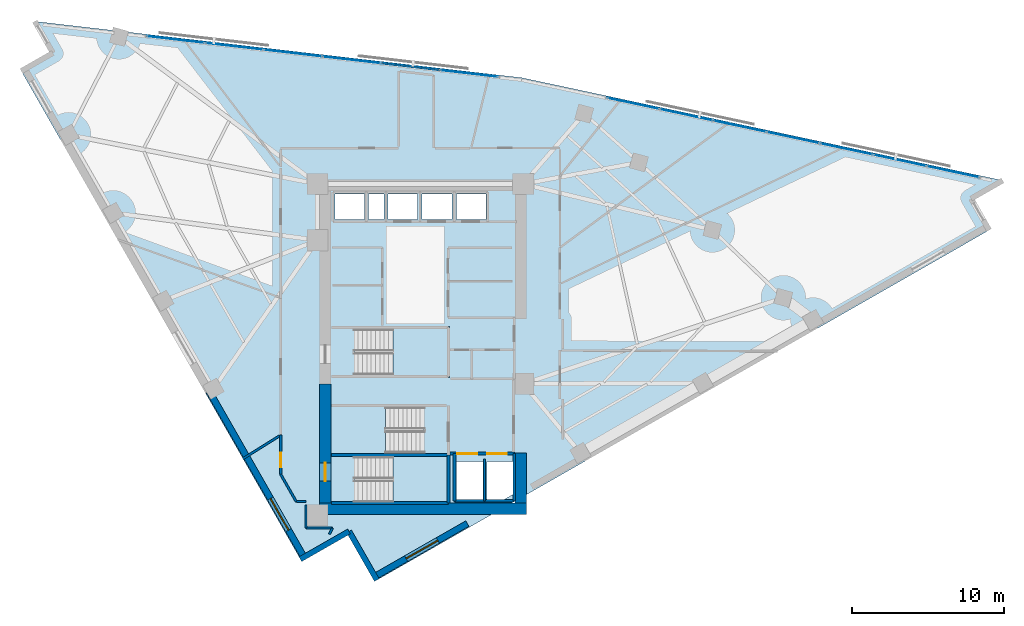
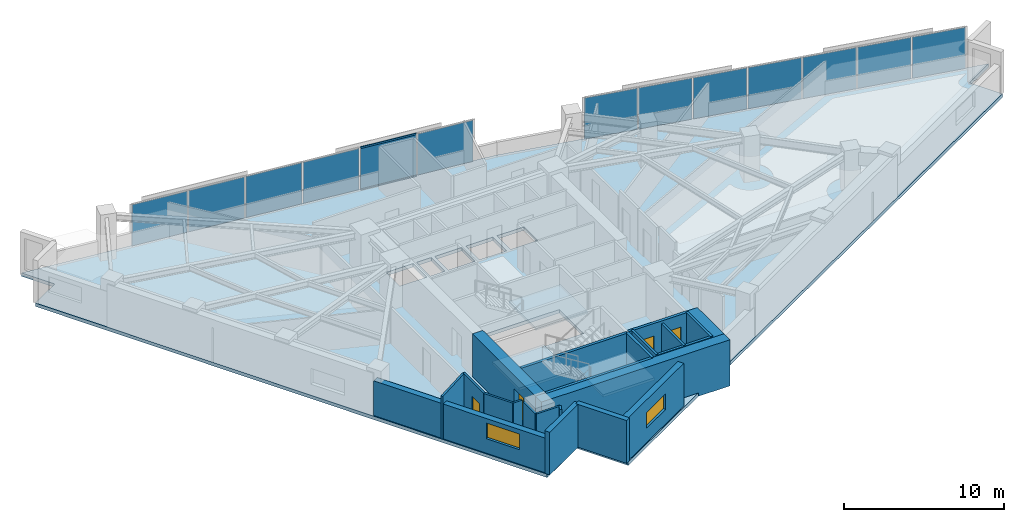
# One storey, part 8 of 14: 22 walls, 13 plates, 4 doors, 4 slabs, 2 members, 2 windows, 6 openings, 5 elements without a shape of their own.
"""IFC4 building model written with IfcOpenShell, lengths in metres."""

from ifc_helpers import new_model, si_unit, direction, frame, frame_2d, origin, origin_2d, place, context, subcontext, project, spatial, polyline, rectangle, hollow_rectangle, outline, extrude, material, layer, layer_set, material_profile, profile_set, type_object, element, fill, aggregate, save


model = new_model("IFC4")

# Units and contexts
model_context = context("Model", 3, precision=1e-05, world=origin(), true_north=direction((0.0, 1.0)))
body_context = subcontext(model_context, "Body", "Model", "MODEL_VIEW")
ifc_project = project(units=[si_unit("LENGTHUNIT", "METRE"), si_unit("AREAUNIT", "SQUARE_METRE"), si_unit("VOLUMEUNIT", "CUBIC_METRE"), si_unit("PLANEANGLEUNIT", "RADIAN"), si_unit("MASSUNIT", "GRAM", prefix="KILO")], contexts=[model_context])

# Site, building, storey
site_placement = place(None, origin())
site = spatial("IfcSite", under=ifc_project, at=site_placement, CompositionType="ELEMENT")
building_placement = place(site_placement, origin())
building = spatial("IfcBuilding", under=site, at=building_placement, Name="Narakoshi Arena Tower", CompositionType="ELEMENT")
storey_placement = place(building_placement, frame((0.0, 0.0, 204.419921875)))
storey = spatial("IfcBuildingStorey", under=building, at=storey_placement, Name="L55", CompositionType="ELEMENT", Elevation=204.419921875)

# Curtain wall, members
ifc_material_1 = material(Name="Anodised bronze aluminium 6063-T6", Category="aluminium")
curtain_wall_type = type_object("IfcCurtainWallType", Name="CW-HYP-MID", PredefinedType="NOTDEFINED", material=ifc_material_1)
curtain_wall_1_placement = place(storey_placement, origin())
curtain_wall_1 = element("IfcCurtainWall", 1, at=curtain_wall_1_placement, inside=storey, type_object=curtain_wall_type, Name="L55 Folded Hypotenuse Curtain Wall 2-1", PredefinedType="NOTDEFINED")
ifc_material_profile = material_profile(ifc_material_1, hollow_rectangle(XDim=0.06494140625, YDim=0.1298828125, WallThickness=0.00390625, OuterFilletRadius=0.0048828125, at=origin_2d()), Name="TRN130x65x4")
ifc_profile_set = profile_set([ifc_material_profile], Name="Anodised bronze aluminium 6063-T6")
member_type = type_object("IfcMemberType", Name="MEM-TRN-130", PredefinedType="USERDEFINED", material=ifc_profile_set)
member_1_placement = place(storey_placement, frame((80.032470703125, 64.002685546875, 0.032470703125), z_axis=(-0.993360986362, 0.115038909828, 0.0), x_axis=(-0.115038909828, -0.993360986362, 0.0)))
member_1 = element("IfcMember", 2, at=member_1_placement, type_object=member_type, Name="CW-02 transom 2.1", ObjectType="TRANSOM", PredefinedType="USERDEFINED", context=body_context, shape_type="SweptSolid", body=[
    extrude(hollow_rectangle(XDim=0.06494140625, YDim=0.1298828125, WallThickness=0.00390625, OuterFilletRadius=0.0048828125, at=origin_2d()), origin(), (0.0, 0.0, 1.0), 3.820068359375),
])
member_2_placement = place(storey_placement, frame((80.032470703125, 64.002685546875, 3.2275390625), z_axis=(-0.993360986362, 0.115038909828, 0.0), x_axis=(-0.115038909828, -0.993360986362, 0.0)))
member_2 = element("IfcMember", 3, at=member_2_placement, type_object=member_type, Name="CW-02 transom 2.2", ObjectType="TRANSOM", PredefinedType="USERDEFINED", context=body_context, shape_type="SweptSolid", body=[
    extrude(hollow_rectangle(XDim=0.06494140625, YDim=0.1298828125, WallThickness=0.00390625, OuterFilletRadius=0.0048828125, at=origin_2d()), origin(), (0.0, 0.0, 1.0), 3.820068359375),
])

# Curtain wall, plates
curtain_wall_2_placement = place(storey_placement, origin())
curtain_wall_2 = element("IfcCurtainWall", 4, at=curtain_wall_2_placement, inside=storey, type_object=curtain_wall_type, Name="L55 Folded Hypotenuse Curtain Wall 1-1", PredefinedType="NOTDEFINED")
ifc_material_2 = material(Name="Bronze-tinted low-E laminated glass", Category="glass")
ifc_layer_1 = layer(ifc_material_2, 0.0380859375)
ifc_layer_set_1 = layer_set([ifc_layer_1], Name="Bronze-tinted low-E laminated glass")
plate_type = type_object("IfcPlateType", Name="PLT-GLZ-38", PredefinedType="CURTAIN_PANEL", material=ifc_layer_set_1)
plate_1_placement = place(storey_placement, frame((113.835205078125, 57.3095703125, 0.065185546875), z_axis=(0.0, 0.0, 1.0), x_axis=(-0.977937185914, 0.208899163248, 0.0)))
plate_1 = element("IfcPlate", 5, at=plate_1_placement, type_object=plate_type, Name="CW-02 panel 1.1", PredefinedType="CURTAIN_PANEL", context=body_context, shape_type="SweptSolid", body=[
    extrude(rectangle(XDim=3.48095703125, YDim=0.0380859375, at=origin_2d()), origin(), (0.0, 0.0, 1.0), 3.1298828125),
])
plate_2_placement = place(storey_placement, frame((110.33935546875, 58.056396484375, 0.065185546875), z_axis=(0.0, 0.0, 1.0), x_axis=(-0.977937185914, 0.208899163248, 0.0)))
plate_2 = element("IfcPlate", 6, at=plate_2_placement, type_object=plate_type, Name="CW-02 panel 2.1", PredefinedType="CURTAIN_PANEL", context=body_context, shape_type="SweptSolid", body=[
    extrude(rectangle(XDim=3.518310546875, YDim=0.0380859375, at=origin_2d()), origin(), (0.0, 0.0, 1.0), 3.1298828125),
])
plate_3_placement = place(storey_placement, frame((106.8251953125, 58.806884765625, 0.065185546875), z_axis=(0.0, 0.0, 1.0), x_axis=(-0.977937185914, 0.208899163248, 0.0)))
plate_3 = element("IfcPlate", 7, at=plate_3_placement, type_object=plate_type, Name="CW-02 panel 3.1", PredefinedType="CURTAIN_PANEL", context=body_context, shape_type="SweptSolid", body=[
    extrude(rectangle(XDim=3.518310546875, YDim=0.0380859375, at=origin_2d()), origin(), (0.0, 0.0, 1.0), 3.1298828125),
])
plate_4_placement = place(storey_placement, frame((103.31103515625, 59.5576171875, 0.065185546875), z_axis=(0.0, 0.0, 1.0), x_axis=(-0.977937185914, 0.208899163248, 0.0)))
plate_4 = element("IfcPlate", 8, at=plate_4_placement, type_object=plate_type, Name="CW-02 panel 4.1", PredefinedType="CURTAIN_PANEL", context=body_context, shape_type="SweptSolid", body=[
    extrude(rectangle(XDim=3.518310546875, YDim=0.0380859375, at=origin_2d()), origin(), (0.0, 0.0, 1.0), 3.1298828125),
])
plate_5_placement = place(storey_placement, frame((99.796875, 60.308349609375, 0.065185546875), z_axis=(0.0, 0.0, 1.0), x_axis=(-0.977937185914, 0.208899163248, 0.0)))
plate_5 = element("IfcPlate", 9, at=plate_5_placement, type_object=plate_type, Name="CW-02 panel 5.1", PredefinedType="CURTAIN_PANEL", context=body_context, shape_type="SweptSolid", body=[
    extrude(rectangle(XDim=3.518310546875, YDim=0.0380859375, at=origin_2d()), origin(), (0.0, 0.0, 1.0), 3.1298828125),
])
plate_6_placement = place(storey_placement, frame((96.282958984375, 61.058837890625, 0.065185546875), z_axis=(0.0, 0.0, 1.0), x_axis=(-0.977937185914, 0.208899163248, 0.0)))
plate_6 = element("IfcPlate", 10, at=plate_6_placement, type_object=plate_type, Name="CW-02 panel 6.1", PredefinedType="CURTAIN_PANEL", context=body_context, shape_type="SweptSolid", body=[
    extrude(rectangle(XDim=3.518310546875, YDim=0.0380859375, at=origin_2d()), origin(), (0.0, 0.0, 1.0), 3.1298828125),
])
plate_7_placement = place(storey_placement, frame((92.787109375, 61.8056640625, 0.065185546875), z_axis=(0.0, 0.0, 1.0), x_axis=(-0.977937185914, 0.208899163248, 0.0)))
plate_7 = element("IfcPlate", 11, at=plate_7_placement, type_object=plate_type, Name="CW-02 panel 7.1", PredefinedType="CURTAIN_PANEL", context=body_context, shape_type="SweptSolid", body=[
    extrude(rectangle(XDim=3.48095703125, YDim=0.0380859375, at=origin_2d()), origin(), (0.0, 0.0, 1.0), 3.1298828125),
])
aggregate(curtain_wall_2, [plate_1, plate_2, plate_3, plate_4, plate_5, plate_6, plate_7])

# Plate
plate_8_placement = place(storey_placement, frame((81.985595703125, 63.776611328125, 0.065185546875), z_axis=(0.0, 0.0, 1.0), x_axis=(-0.993364183774, 0.115011296816, 0.0)))
plate_8 = element("IfcPlate", 12, at=plate_8_placement, type_object=plate_type, Name="CW-02 panel 1.1", PredefinedType="CURTAIN_PANEL", context=body_context, shape_type="SweptSolid", body=[
    extrude(rectangle(XDim=3.782470703125, YDim=0.0380859375, at=origin_2d()), origin(), (0.0, 0.0, 1.0), 3.1298828125),
])

plate_9_placement = place(storey_placement, frame((78.13525390625, 64.222412109375, 0.065185546875), z_axis=(0.0, 0.0, 1.0), x_axis=(-0.993364183774, 0.115011296816, 0.0)))
plate_9 = element("IfcPlate", 13, at=plate_9_placement, type_object=plate_type, Name="CW-02 panel 2.1", PredefinedType="CURTAIN_PANEL", context=body_context, shape_type="SweptSolid", body=[
    extrude(rectangle(XDim=3.820068359375, YDim=0.0380859375, at=origin_2d()), origin(), (0.0, 0.0, 1.0), 3.1298828125),
])

plate_10_placement = place(storey_placement, frame((74.26611328125, 64.67041015625, 0.065185546875), z_axis=(0.0, 0.0, 1.0), x_axis=(-0.993364183774, 0.115011296816, 0.0)))
plate_10 = element("IfcPlate", 14, at=plate_10_placement, type_object=plate_type, Name="CW-02 panel 3.1", PredefinedType="CURTAIN_PANEL", context=body_context, shape_type="SweptSolid", body=[
    extrude(rectangle(XDim=3.820068359375, YDim=0.0380859375, at=origin_2d()), origin(), (0.0, 0.0, 1.0), 3.1298828125),
])

plate_11_placement = place(storey_placement, frame((70.39697265625, 65.118408203125, 0.065185546875), z_axis=(0.0, 0.0, 1.0), x_axis=(-0.993364183774, 0.115011296816, 0.0)))
plate_11 = element("IfcPlate", 15, at=plate_11_placement, type_object=plate_type, Name="CW-02 panel 4.1", PredefinedType="CURTAIN_PANEL", context=body_context, shape_type="SweptSolid", body=[
    extrude(rectangle(XDim=3.820068359375, YDim=0.0380859375, at=origin_2d()), origin(), (0.0, 0.0, 1.0), 3.1298828125),
])

plate_12_placement = place(storey_placement, frame((66.52783203125, 65.56640625, 0.065185546875), z_axis=(0.0, 0.0, 1.0), x_axis=(-0.993364183774, 0.115011296816, 0.0)))
plate_12 = element("IfcPlate", 16, at=plate_12_placement, type_object=plate_type, Name="CW-02 panel 5.1", PredefinedType="CURTAIN_PANEL", context=body_context, shape_type="SweptSolid", body=[
    extrude(rectangle(XDim=3.820068359375, YDim=0.0380859375, at=origin_2d()), origin(), (0.0, 0.0, 1.0), 3.1298828125),
])

plate_13_placement = place(storey_placement, frame((62.67724609375, 66.01220703125, 0.065185546875), z_axis=(0.0, 0.0, 1.0), x_axis=(-0.993364183774, 0.115011296816, 0.0)))
plate_13 = element("IfcPlate", 17, at=plate_13_placement, type_object=plate_type, Name="CW-02 panel 6.1", PredefinedType="CURTAIN_PANEL", context=body_context, shape_type="SweptSolid", body=[
    extrude(rectangle(XDim=3.782470703125, YDim=0.0380859375, at=origin_2d()), origin(), (0.0, 0.0, 1.0), 3.1298828125),
])

aggregate(curtain_wall_1, [plate_8, member_1, member_2, plate_9, plate_10, plate_11, plate_12, plate_13])

# Stair, slab
ifc_material_3 = material(Name="Concrete C45/55", Category="concrete")
stair_type = type_object("IfcStairType", Name="STR-CORE-352", PredefinedType="TWO_STRAIGHT_RUN_STAIR", material=ifc_material_3)
stair_1_placement = place(storey_placement, origin())
stair_1 = element("IfcStair", 18, at=stair_1_placement, inside=storey, type_object=stair_type, Name="L55 Core Escape Stair ST1", PredefinedType="TWO_STRAIGHT_RUN_STAIR")
ifc_layer_2 = layer(ifc_material_3, 0.18994140625)
ifc_layer_set_2 = layer_set([ifc_layer_2], Name="Concrete C45/55")
slab_type_1 = type_object("IfcSlabType", Name="SLB-LND-190", PredefinedType="LANDING", material=ifc_layer_set_2)
slab_1_placement = place(storey_placement, frame((0.0, 0.0, 1.570068359375)))
slab_1 = element("IfcSlab", 19, at=slab_1_placement, type_object=slab_type_1, Name="ST1 landing 1", PredefinedType="LANDING", context=body_context, shape_type="SweptSolid", body=[
    extrude(outline(polyline([(76.965087890625, 35.3701171875), (80.679931640625, 35.3701171875), (80.679931640625, 38.72998046875), (76.965087890625, 38.72998046875), (76.965087890625, 35.3701171875)])), origin(), (0.0, 0.0, 1.0), 0.18994140625),
])
aggregate(stair_1, [slab_1])

stair_2_placement = place(storey_placement, origin())
stair_2 = element("IfcStair", 20, at=stair_2_placement, inside=storey, type_object=stair_type, Name="L55 Core Escape Stair ST2", PredefinedType="TWO_STRAIGHT_RUN_STAIR")
slab_2_placement = place(storey_placement, frame((0.0, 0.0, 1.570068359375)))
slab_2 = element("IfcSlab", 21, at=slab_2_placement, type_object=slab_type_1, Name="ST2 landing 1", PredefinedType="LANDING", context=body_context, shape_type="SweptSolid", body=[
    extrude(outline(polyline([(72.77001953125, 38.6201171875), (76.485107421875, 38.6201171875), (76.485107421875, 41.97998046875), (72.77001953125, 41.97998046875), (72.77001953125, 38.6201171875)])), origin(), (0.0, 0.0, 1.0), 0.18994140625),
])
aggregate(stair_2, [slab_2])

stair_3_placement = place(storey_placement, origin())
stair_3 = element("IfcStair", 22, at=stair_3_placement, inside=storey, type_object=stair_type, Name="L55 Core Escape Stair ST3", PredefinedType="TWO_STRAIGHT_RUN_STAIR")
slab_3_placement = place(storey_placement, frame((0.0, 0.0, 1.570068359375)))
slab_3 = element("IfcSlab", 23, at=slab_3_placement, type_object=slab_type_1, Name="ST3 landing 1", PredefinedType="LANDING", context=body_context, shape_type="SweptSolid", body=[
    extrude(outline(polyline([(76.965087890625, 43.77001953125), (80.679931640625, 43.77001953125), (80.679931640625, 47.1298828125), (76.965087890625, 47.1298828125), (76.965087890625, 43.77001953125)])), origin(), (0.0, 0.0, 1.0), 0.18994140625),
])
aggregate(stair_3, [slab_3])

# Slab
ifc_material_4 = material(Name="Concrete C50/60", Category="concrete")
ifc_layer_3 = layer(ifc_material_4, 0.260009765625)
ifc_layer_set_3 = layer_set([ifc_layer_3], Name="Concrete C50/60")
slab_type_2 = type_object("IfcSlabType", Name="SLB-SKY-260", PredefinedType="FLOOR", material=ifc_layer_set_3)
slab_4_placement = place(storey_placement, frame((0.0, 0.0, -0.260009765625)))
element("IfcSlab", 24, at=slab_4_placement, inside=storey, type_object=slab_type_2, Name="L55 Structural Floor Slab", PredefinedType="FLOOR", context=body_context, shape_type="SweptSolid", body=[
    extrude(outline(polyline([(75.915771484375, 30.43017578125), (116.209716796875, 53.460205078125), (115.01904296875, 55.54345703125), (117.1025390625, 56.734375), (85.442626953125, 63.497314453125), (53.408203125, 67.2060546875), (54.59912109375, 65.122802734375), (52.515625, 63.931884765625), (70.87841796875, 31.803466796875), (74.083740234375, 33.635498046875), (75.915771484375, 30.43017578125)]), holes=[polyline([(80.5, 35.550048828125), (74.47998046875, 35.550048828125), (74.47998046875, 38.550048828125), (80.5, 38.550048828125), (80.5, 35.550048828125)]), polyline([(82.89990234375, 35.75), (81.14990234375, 35.75), (81.14990234375, 38.25), (82.89990234375, 38.25), (82.89990234375, 35.75)]), polyline([(84.89990234375, 36.08349609375), (84.316650390625, 35.75), (83.14990234375, 35.75), (83.14990234375, 38.25), (84.89990234375, 38.25), (84.89990234375, 36.08349609375)]), polyline([(72.949951171875, 38.800048828125), (72.949951171875, 41.800048828125), (78.969970703125, 41.800048828125), (78.969970703125, 38.800048828125), (72.949951171875, 38.800048828125)]), polyline([(74.47998046875, 43.949951171875), (74.47998046875, 46.949951171875), (80.5, 46.949951171875), (80.5, 43.949951171875), (74.47998046875, 43.949951171875)]), polyline([(75.10009765625, 54.14990234375), (73.14990234375, 54.14990234375), (73.14990234375, 55.85009765625), (75.10009765625, 55.85009765625), (75.10009765625, 54.14990234375)]), polyline([(76.39990234375, 54.14990234375), (75.35009765625, 54.14990234375), (75.35009765625, 55.85009765625), (76.39990234375, 55.85009765625), (76.39990234375, 54.14990234375)]), polyline([(78.60009765625, 54.14990234375), (76.64990234375, 54.14990234375), (76.64990234375, 55.85009765625), (78.60009765625, 55.85009765625), (78.60009765625, 54.14990234375)]), polyline([(78.89990234375, 54.14990234375), (78.89990234375, 55.85009765625), (80.85009765625, 55.85009765625), (80.85009765625, 54.14990234375), (78.89990234375, 54.14990234375)]), polyline([(81.14990234375, 54.14990234375), (81.14990234375, 55.85009765625), (83.10009765625, 55.85009765625), (83.10009765625, 54.14990234375), (81.14990234375, 54.14990234375)])]), origin(), (0.0, 0.0, 1.0), 0.260009765625),
])

# Wall, opening, door
ifc_layer_4 = layer(ifc_material_4, 0.75)
ifc_layer_set_4 = layer_set([ifc_layer_4], Name="Concrete C50/60")
wall_type_1 = type_object("IfcWallType", Name="WL-CORE-750", PredefinedType="SHEAR", material=ifc_layer_set_4)
wall_1_placement = place(storey_placement, frame((72.52490234375, 35.5, -0.260009765625), z_axis=(0.0, 0.0, 1.0), x_axis=(0.0, 1.0, 0.0)))
wall_1 = element("IfcWall", 25, at=wall_1_placement, inside=storey, type_object=wall_type_1, Name="L55 Central Core Shear Wall CW-APX-W", PredefinedType="SHEAR", context=body_context, shape_type="SweptSolid", body=[
    extrude(rectangle(XDim=7.85009765625, YDim=0.75, at=frame_2d((3.925048828125, 0.0))), origin(), (0.0, 0.0, 1.0), 3.52001953125),
])
opening_1_placement = place(wall_1_placement, frame((1.449951171875, 0.0, 0.260009765625)))
opening_1 = element("IfcOpeningElement", 26, at=opening_1_placement, cuts=wall_1, Name="Opening D-03", PredefinedType="OPENING", context=body_context, shape_type="SweptSolid", body=[
    extrude(rectangle(XDim=1.199951171875, YDim=2.199951171875, at=frame_2d((0.60009765625, 1.10009765625))), frame((0.0, 0.385009765625, 0.0), z_axis=(0.0, -1.0, 0.0), x_axis=(1.0, 0.0, 0.0)), (0.0, 0.0, 1.0), 0.77001953125),
])
ifc_material_5 = material(Name="Painted galvanized steel", Category="steel")
door_type_1 = type_object("IfcDoorType", Name="DR-STR-1200", OperationType="NOTDEFINED", PredefinedType="USERDEFINED", material=ifc_material_5)
door_1_placement = place(opening_1_placement, frame((1.199951171875, 0.0, 0.0), z_axis=(0.0, 0.0, 1.0), x_axis=(-1.0, 0.0, 0.0)))
door_1 = element("IfcDoor", 27, at=door_1_placement, inside=storey, type_object=door_type_1, Name="DR-L55-001", ObjectType="EXITDOOR", OperationType="SINGLE_SWING_LEFT", OverallHeight=2.199951171875, OverallWidth=1.199951171875, PredefinedType="USERDEFINED", context=body_context, shape_type="SweptSolid", body=[
    extrude(rectangle(XDim=1.199951171875, YDim=2.199951171875, at=frame_2d((0.60009765625, 1.10009765625))), frame((0.0, 0.02490234375, 0.0), z_axis=(0.0, -1.0, 0.0), x_axis=(1.0, 0.0, 0.0)), (0.0, 0.0, 1.0), 0.050048828125),
])
fill(opening_1, door_1)

# Walls
wall_2_placement = place(storey_placement, frame((72.14990234375, 35.125, -0.260009765625), z_axis=(0.0, 0.0, 1.0), x_axis=(1.0, 0.0, 0.0)))
element("IfcWall", 28, at=wall_2_placement, inside=storey, type_object=wall_type_1, Name="L55 Central Core Shear Wall CW-APX-S", PredefinedType="SHEAR", context=body_context, shape_type="SweptSolid", body=[
    extrude(rectangle(XDim=13.60009765625, YDim=0.75, at=frame_2d((6.800048828125, 0.0))), origin(), (0.0, 0.0, 1.0), 3.52001953125),
])
wall_3_placement = place(storey_placement, frame((85.375, 35.5, -0.260009765625), z_axis=(0.0, 0.0, 1.0), x_axis=(0.0, 1.0, 0.0)))
element("IfcWall", 29, at=wall_3_placement, inside=storey, type_object=wall_type_1, Name="L55 Central Core Shear Wall CW-APX-E", PredefinedType="SHEAR", context=body_context, shape_type="SweptSolid", body=[
    extrude(rectangle(XDim=3.300048828125, YDim=0.75, at=frame_2d((1.64990234375, 0.0))), origin(), (0.0, 0.0, 1.0), 3.52001953125),
])

# Wall, opening, window
ifc_material_6 = material(Name="Precast concrete C45/55", Category="concrete")
ifc_layer_5 = layer(ifc_material_6, 0.419921875)
ifc_layer_set_5 = layer_set([ifc_layer_5], Name="Precast concrete C45/55")
wall_type_2 = type_object("IfcWallType", Name="WL-POD-420", PredefinedType="SOLIDWALL", material=ifc_layer_set_5)
wall_4_placement = place(storey_placement, frame((75.779296875, 30.6689453125, 0.0), z_axis=(0.0, 0.0, 1.0), x_axis=(0.868213158215, 0.496191406519, 0.0)))
wall_4 = element("IfcWall", 30, at=wall_4_placement, inside=storey, type_object=wall_type_2, Name="L55 Architectural Concrete Facade Wall LEGA-1", PredefinedType="SOLIDWALL", context=body_context, shape_type="SweptSolid", body=[
    extrude(rectangle(XDim=7.015380859375, YDim=0.419921875, at=frame_2d((3.5078125, 0.0))), origin(), (0.0, 0.0, 1.0), 3.260009765625),
])
opening_2_placement = place(wall_4_placement, frame((2.376708984375, 0.0, 1.10009765625)))
opening_2 = element("IfcOpeningElement", 31, at=opening_2_placement, cuts=wall_4, Name="Opening WN-04", PredefinedType="OPENING", context=body_context, shape_type="SweptSolid", body=[
    extrude(rectangle(XDim=2.39990234375, YDim=1.199951171875, at=frame_2d((1.199951171875, 0.60009765625))), frame((0.0, 0.219970703125, 0.0), z_axis=(0.0, -1.0, 0.0), x_axis=(1.0, 0.0, 0.0)), (0.0, 0.0, 1.0), 0.43994140625),
])
window_type = type_object("IfcWindowType", Name="WIN-SLT-24x12", PartitioningType="SINGLE_PANEL", PredefinedType="WINDOW", material=ifc_material_2)
window_1_placement = place(opening_2_placement, origin())
window_1 = element("IfcWindow", 32, at=window_1_placement, inside=storey, type_object=window_type, Name="L55 LEGA1 Horizontal Slot Window 1", OverallHeight=1.199951171875, OverallWidth=2.39990234375, PartitioningType="SINGLE_PANEL", PredefinedType="WINDOW", context=body_context, shape_type="SweptSolid", body=[
    extrude(rectangle(XDim=2.39990234375, YDim=1.199951171875, at=frame_2d((1.199951171875, 0.60009765625))), frame((0.0, 0.030029296875, 0.0), z_axis=(0.0, -1.0, 0.0), x_axis=(1.0, 0.0, 0.0)), (0.0, 0.0, 1.0), 0.06005859375),
])
fill(opening_2, window_1)

wall_5_placement = place(storey_placement, frame((64.873779296875, 42.863525390625, 0.0), z_axis=(0.0, 0.0, 1.0), x_axis=(0.49622043329, -0.868196568517, 0.0)))
wall_5 = element("IfcWall", 33, at=wall_5_placement, inside=storey, type_object=wall_type_2, Name="L55 Architectural Concrete Facade Wall LEGB-3", PredefinedType="SOLIDWALL", context=body_context, shape_type="SweptSolid", body=[
    extrude(rectangle(XDim=12.58203125, YDim=0.419921875, at=frame_2d((6.291015625, 0.0))), origin(), (0.0, 0.0, 1.0), 2.64501953125),
])
opening_3_placement = place(wall_5_placement, frame((8.135986328125, 0.0, 1.10009765625)))
opening_3 = element("IfcOpeningElement", 34, at=opening_3_placement, cuts=wall_5, Name="Opening WN-04", PredefinedType="OPENING", context=body_context, shape_type="SweptSolid", body=[
    extrude(rectangle(XDim=2.39990234375, YDim=1.199951171875, at=frame_2d((1.199951171875, 0.60009765625))), frame((0.0, 0.219970703125, 0.0), z_axis=(0.0, -1.0, 0.0), x_axis=(1.0, 0.0, 0.0)), (0.0, 0.0, 1.0), 0.43994140625),
])
window_2_placement = place(opening_3_placement, origin())
window_2 = element("IfcWindow", 35, at=window_2_placement, inside=storey, type_object=window_type, Name="L55 LEGB3 Horizontal Slot Window 1", OverallHeight=1.199951171875, OverallWidth=2.39990234375, PartitioningType="SINGLE_PANEL", PredefinedType="WINDOW", context=body_context, shape_type="SweptSolid", body=[
    extrude(rectangle(XDim=2.39990234375, YDim=1.199951171875, at=frame_2d((1.199951171875, 0.60009765625))), frame((0.0, 0.030029296875, 0.0), z_axis=(0.0, -1.0, 0.0), x_axis=(1.0, 0.0, 0.0)), (0.0, 0.0, 1.0), 0.06005859375),
])
fill(opening_3, window_2)

# Walls
for number, where, z_axis, x_axis, name in (
    (36, (70.87841796875, 31.803466796875, 0.0), (0.0, 0.0, 1.0), (0.868194304946, 0.496224393656, 0.0), "L55 Re-Entrant Corner Notch Wall NTA-1"),
    (37, (74.083740234375, 33.635498046875, 0.0), (0.0, 0.0, 1.0), (0.496224393656, -0.868194304946, 0.0), "L55 Re-Entrant Corner Notch Wall NTA-2"),
):
    element("IfcWall", number, at=place(storey_placement, frame(where, z_axis=z_axis, x_axis=x_axis)), inside=storey, type_object=wall_type_2, Name=name, PredefinedType="SOLIDWALL", context=body_context, shape_type="SweptSolid", body=[
        extrude(rectangle(XDim=3.69189453125, YDim=0.360107421875, at=frame_2d((1.845947265625, 0.0))), origin(), (0.0, 0.0, 1.0), 3.260009765625),
    ])
ifc_material_7 = material(Name="Concrete C40/50", Category="concrete")
ifc_layer_6 = layer(ifc_material_7, 0.280029296875)
ifc_layer_set_6 = layer_set([ifc_layer_6], Name="Concrete C40/50")
wall_type_3 = type_object("IfcWallType", Name="WL-RISER-280", PredefinedType="PLUMBINGWALL", material=ifc_layer_set_6)
wall_6_placement = place(storey_placement, frame((83.0, 35.64990234375, 0.0), z_axis=(0.0, 0.0, 1.0), x_axis=(0.0, 1.0, 0.0)))
element("IfcWall", 38, at=wall_6_placement, inside=storey, type_object=wall_type_3, Name="L55 Core Wall FF-DIV", PredefinedType="PLUMBINGWALL", context=body_context, shape_type="SweptSolid", body=[
    extrude(rectangle(XDim=2.75, YDim=0.159912109375, at=frame_2d((1.375, 0.0))), origin(), (0.0, 0.0, 1.0), 3.260009765625),
])
ifc_layer_7 = layer(ifc_material_4, 0.35009765625)
ifc_layer_set_7 = layer_set([ifc_layer_7], Name="Concrete C50/60")
wall_type_4 = type_object("IfcWallType", Name="WL-SHAFT-350", PredefinedType="SOLIDWALL", material=ifc_layer_set_7)
for number, where, z_axis, x_axis, name in (
    (39, (72.919921875, 35.52001953125, -0.260009765625), (0.0, 0.0, 1.0), (1.0, 0.0, 0.0), "L55 Core Wall ST1-S"),
    (40, (72.919921875, 38.675048828125, -0.260009765625), (0.0, 0.0, 1.0), (1.0, 0.0, 0.0), "L55 Core Wall ST12-DIV"),
):
    element("IfcWall", number, at=place(storey_placement, frame(where, z_axis=z_axis, x_axis=x_axis)), inside=storey, type_object=wall_type_4, Name=name, PredefinedType="SOLIDWALL", context=body_context, shape_type="SweptSolid", body=[
        extrude(rectangle(XDim=7.7001953125, YDim=0.199951171875, at=frame_2d((3.85009765625, 0.0))), origin(), (0.0, 0.0, 1.0), 3.52001953125),
    ])
wall_7_placement = place(storey_placement, frame((80.6201171875, 35.52001953125, -0.260009765625), z_axis=(0.0, 0.0, 1.0), x_axis=(0.0, 1.0, 0.0)))
element("IfcWall", 41, at=wall_7_placement, inside=storey, type_object=wall_type_4, Name="L55 Core Wall ST1-E", PredefinedType="SOLIDWALL", context=body_context, shape_type="SweptSolid", body=[
    extrude(rectangle(XDim=3.155029296875, YDim=0.199951171875, at=frame_2d((1.57763671875, 0.0))), origin(), (0.0, 0.0, 1.0), 3.52001953125),
])

# Wall, openings, doors
wall_8_placement = place(storey_placement, frame((80.719970703125, 38.75, 0.0), z_axis=(0.0, 0.0, 1.0), x_axis=(1.0, 0.0, 0.0)))
wall_8 = element("IfcWall", 42, at=wall_8_placement, inside=storey, type_object=wall_type_4, Name="L55 Core Wall FF-N", PredefinedType="SOLIDWALL", context=body_context, shape_type="SweptSolid", body=[
    extrude(rectangle(XDim=4.260009765625, YDim=0.199951171875, at=frame_2d((2.1298828125, 0.0))), origin(), (0.0, 0.0, 1.0), 3.260009765625),
])
opening_4_placement = place(wall_8_placement, frame((0.5, 0.0, 0.0)))
opening_4 = element("IfcOpeningElement", 43, at=opening_4_placement, cuts=wall_8, Name="Opening LD-02", PredefinedType="OPENING", context=body_context, shape_type="SweptSolid", body=[
    extrude(rectangle(XDim=1.300048828125, YDim=2.300048828125, at=frame_2d((0.64990234375, 1.14990234375))), frame((0.0, 0.10986328125, 0.0), z_axis=(0.0, -1.0, 0.0), x_axis=(1.0, 0.0, 0.0)), (0.0, 0.0, 1.0), 0.219970703125),
])
opening_5_placement = place(wall_8_placement, frame((2.449951171875, 0.0, 0.0)))
opening_5 = element("IfcOpeningElement", 44, at=opening_5_placement, cuts=wall_8, Name="Opening LD-02", PredefinedType="OPENING", context=body_context, shape_type="SweptSolid", body=[
    extrude(rectangle(XDim=1.300048828125, YDim=2.300048828125, at=frame_2d((0.64990234375, 1.14990234375))), frame((0.0, 0.10986328125, 0.0), z_axis=(0.0, -1.0, 0.0), x_axis=(1.0, 0.0, 0.0)), (0.0, 0.0, 1.0), 0.219970703125),
])
ifc_material_8 = material(Name="Brushed bronze stainless steel", Category="steel")
door_type_2 = type_object("IfcDoorType", Name="DR-LFT-1300", OperationType="DOUBLE_DOOR_SLIDING", PredefinedType="DOOR", material=ifc_material_8)
door_2_placement = place(opening_4_placement, origin())
door_2 = element("IfcDoor", 45, at=door_2_placement, inside=storey, type_object=door_type_2, Name="DR-L55-003", OperationType="DOUBLE_DOOR_SLIDING", OverallHeight=2.300048828125, OverallWidth=1.300048828125, PredefinedType="DOOR", context=body_context, shape_type="SweptSolid", body=[
    extrude(rectangle(XDim=1.300048828125, YDim=2.300048828125, at=frame_2d((0.64990234375, 1.14990234375))), frame((0.0, 0.02490234375, 0.0), z_axis=(0.0, -1.0, 0.0), x_axis=(1.0, 0.0, 0.0)), (0.0, 0.0, 1.0), 0.050048828125),
])
fill(opening_4, door_2)
door_3_placement = place(opening_5_placement, origin())
door_3 = element("IfcDoor", 46, at=door_3_placement, inside=storey, type_object=door_type_2, Name="DR-L55-004", OperationType="DOUBLE_DOOR_SLIDING", OverallHeight=2.300048828125, OverallWidth=1.300048828125, PredefinedType="DOOR", context=body_context, shape_type="SweptSolid", body=[
    extrude(rectangle(XDim=1.300048828125, YDim=2.300048828125, at=frame_2d((0.64990234375, 1.14990234375))), frame((0.0, 0.02490234375, 0.0), z_axis=(0.0, -1.0, 0.0), x_axis=(1.0, 0.0, 0.0)), (0.0, 0.0, 1.0), 0.050048828125),
])
fill(opening_5, door_3)

# Walls
for number, where, z_axis, x_axis, name in (
    (47, (84.949951171875, 35.64990234375, 0.0), (0.0, 0.0, 1.0), (0.0, 1.0, 0.0), "L55 Core Wall FF-E"),
    (48, (81.02001953125, 35.64990234375, 0.0), (0.0, 0.0, 1.0), (0.0, 1.0, 0.0), "L55 Core Wall FF-W"),
):
    element("IfcWall", number, at=place(storey_placement, frame(where, z_axis=z_axis, x_axis=x_axis)), inside=storey, type_object=wall_type_4, Name=name, PredefinedType="SOLIDWALL", context=body_context, shape_type="SweptSolid", body=[
        extrude(rectangle(XDim=3.10009765625, YDim=0.179931640625, at=frame_2d((1.550048828125, 0.0))), origin(), (0.0, 0.0, 1.0), 3.260009765625),
    ])
wall_9_placement = place(storey_placement, frame((81.02001953125, 35.64990234375, 0.0), z_axis=(0.0, 0.0, 1.0), x_axis=(1.0, 0.0, 0.0)))
element("IfcWall", 49, at=wall_9_placement, inside=storey, type_object=wall_type_4, Name="L55 Core Wall FF-S", PredefinedType="SOLIDWALL", context=body_context, shape_type="SweptSolid", body=[
    extrude(rectangle(XDim=3.929931640625, YDim=0.179931640625, at=frame_2d((1.96484375, 0.0))), origin(), (0.0, 0.0, 1.0), 3.260009765625),
])

# Wall, opening, door
ifc_material_9 = material(Name="Moisture-resistant cement-board partition")
ifc_layer_8 = layer(ifc_material_9, 0.14501953125)
ifc_layer_set_8 = layer_set([ifc_layer_8], Name="Moisture-resistant cement-board partition")
wall_type_5 = type_object("IfcWallType", Name="WL-WET-145", PredefinedType="PARTITIONING", material=ifc_layer_set_8)
wall_10_placement = place(storey_placement, frame((69.583251953125, 39.970947265625, 0.0), z_axis=(0.0, 0.0, 1.0), x_axis=(0.0, -1.0, 0.0)))
wall_10 = element("IfcWall", 50, at=wall_10_placement, inside=storey, type_object=wall_type_5, Name="L55 Corridor Partition 01-1", PredefinedType="PARTITIONING", context=body_context, shape_type="SweptSolid", body=[
    extrude(rectangle(XDim=2.575927734375, YDim=0.14501953125, at=frame_2d((1.2880859375, 0.0))), origin(), (0.0, 0.0, 1.0), 3.260009765625),
])
opening_6_placement = place(wall_10_placement, frame((1.156494140625, 0.0, 0.0)))
opening_6 = element("IfcOpeningElement", 51, at=opening_6_placement, cuts=wall_10, Name="Opening D-07", PredefinedType="OPENING", context=body_context, shape_type="SweptSolid", body=[
    extrude(rectangle(XDim=0.949951171875, YDim=2.14990234375, at=frame_2d((0.47509765625, 1.074951171875))), frame((0.0, 0.08251953125, 0.0), z_axis=(0.0, -1.0, 0.0), x_axis=(1.0, 0.0, 0.0)), (0.0, 0.0, 1.0), 0.1650390625),
])
ifc_material_10 = material(Name="Stained oak solid-core timber", Category="wood")
door_type_3 = type_object("IfcDoorType", Name="DR-ACC-950", OperationType="NOTDEFINED", PredefinedType="DOOR", material=ifc_material_10)
door_4_placement = place(opening_6_placement, frame((0.949951171875, 0.0, 0.0), z_axis=(0.0, 0.0, 1.0), x_axis=(-1.0, 0.0, 0.0)))
door_4 = element("IfcDoor", 52, at=door_4_placement, inside=storey, type_object=door_type_3, Name="DR-L55-017", OperationType="SINGLE_SWING_LEFT", OverallHeight=2.14990234375, OverallWidth=0.949951171875, PredefinedType="DOOR", context=body_context, shape_type="SweptSolid", body=[
    extrude(rectangle(XDim=0.949951171875, YDim=2.14990234375, at=frame_2d((0.47509765625, 1.074951171875))), frame((0.0, 0.02490234375, 0.0), z_axis=(0.0, -1.0, 0.0), x_axis=(1.0, 0.0, 0.0)), (0.0, 0.0, 1.0), 0.050048828125),
])
fill(opening_6, door_4)

# Walls
wall_11_placement = place(storey_placement, frame((69.583251953125, 37.39501953125, 0.0), z_axis=(0.0, 0.0, 1.0), x_axis=(0.496215240912, -0.868199536217, 0.0)))
element("IfcWall", 53, at=wall_11_placement, inside=storey, type_object=wall_type_5, Name="L55 Corridor Partition 01-2", PredefinedType="PARTITIONING", context=body_context, shape_type="SweptSolid", body=[
    extrude(rectangle(XDim=2.0673828125, YDim=0.14501953125, at=frame_2d((1.03369140625, 0.0))), origin(), (0.0, 0.0, 1.0), 3.260009765625),
])
wall_12_placement = place(storey_placement, frame((70.609130859375, 35.60009765625, 0.0), z_axis=(0.0, 0.0, 1.0), x_axis=(1.0, 0.0, 0.0)))
element("IfcWall", 54, at=wall_12_placement, inside=storey, type_object=wall_type_5, Name="L55 Corridor Partition 01-3", PredefinedType="PARTITIONING", context=body_context, shape_type="SweptSolid", body=[
    extrude(rectangle(XDim=0.640869140625, YDim=0.14501953125, at=frame_2d((0.3203125, 0.0))), origin(), (0.0, 0.0, 1.0), 3.260009765625),
])
wall_13_placement = place(storey_placement, frame((67.09814453125, 38.417724609375, 0.0), z_axis=(0.0, 0.0, 1.0), x_axis=(0.847983769097, 0.530022195146, 0.0)))
element("IfcWall", 55, at=wall_13_placement, inside=storey, type_object=wall_type_5, Name="L55 Inter-Room Partition 01-09", PredefinedType="PARTITIONING", context=body_context, shape_type="SweptSolid", body=[
    extrude(rectangle(XDim=2.8310546875, YDim=0.14501953125, at=frame_2d((1.41552734375, 0.0))), origin(), (0.0, 0.0, 1.0), 3.260009765625),
])
wall_14_placement = place(storey_placement, frame((71.25, 35.367431640625, 0.0), z_axis=(0.0, 0.0, 1.0), x_axis=(0.0, -1.0, 0.0)))
element("IfcWall", 56, at=wall_14_placement, inside=storey, type_object=wall_type_5, Name="L55 Room Enclosure Partition 01-1", PredefinedType="PARTITIONING", context=body_context, shape_type="SweptSolid", body=[
    extrude(rectangle(XDim=1.517333984375, YDim=0.14501953125, at=frame_2d((0.7587890625, 0.0))), origin(), (0.0, 0.0, 1.0), 3.260009765625),
])
wall_15_placement = place(storey_placement, frame((71.25, 33.85009765625, 0.0), z_axis=(0.0, 0.0, 1.0), x_axis=(1.0, 0.0, 0.0)))
element("IfcWall", 57, at=wall_15_placement, inside=storey, type_object=wall_type_5, Name="L55 Room Enclosure Partition 01-2", PredefinedType="PARTITIONING", context=body_context, shape_type="SweptSolid", body=[
    extrude(rectangle(XDim=1.7421875, YDim=0.14501953125, at=frame_2d((0.87109375, 0.0))), origin(), (0.0, 0.0, 1.0), 3.260009765625),
])
wall_16_placement = place(storey_placement, frame((72.9921875, 33.85009765625, 0.0), z_axis=(0.0, 0.0, 1.0), x_axis=(-0.442365234368, -0.896834990075, 0.0)))
element("IfcWall", 58, at=wall_16_placement, inside=storey, type_object=wall_type_5, Name="L55 Room Enclosure Partition 01-3", PredefinedType="PARTITIONING", context=body_context, shape_type="SweptSolid", body=[
    extrude(rectangle(XDim=0.44384765625, YDim=0.14501953125, at=frame_2d((0.221923828125, 0.0))), origin(), (0.0, 0.0, 1.0), 3.260009765625),
])

save(model, "model.ifc")
